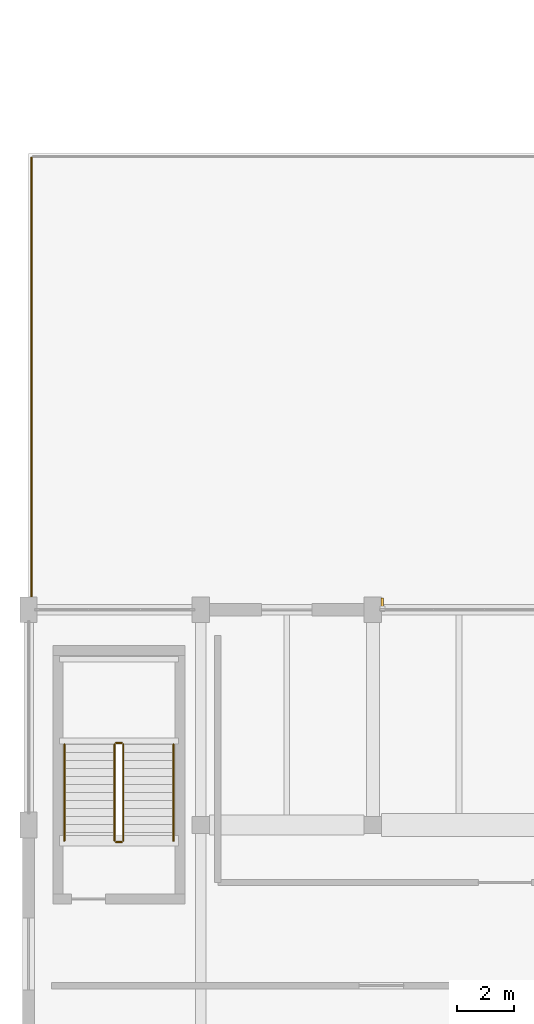
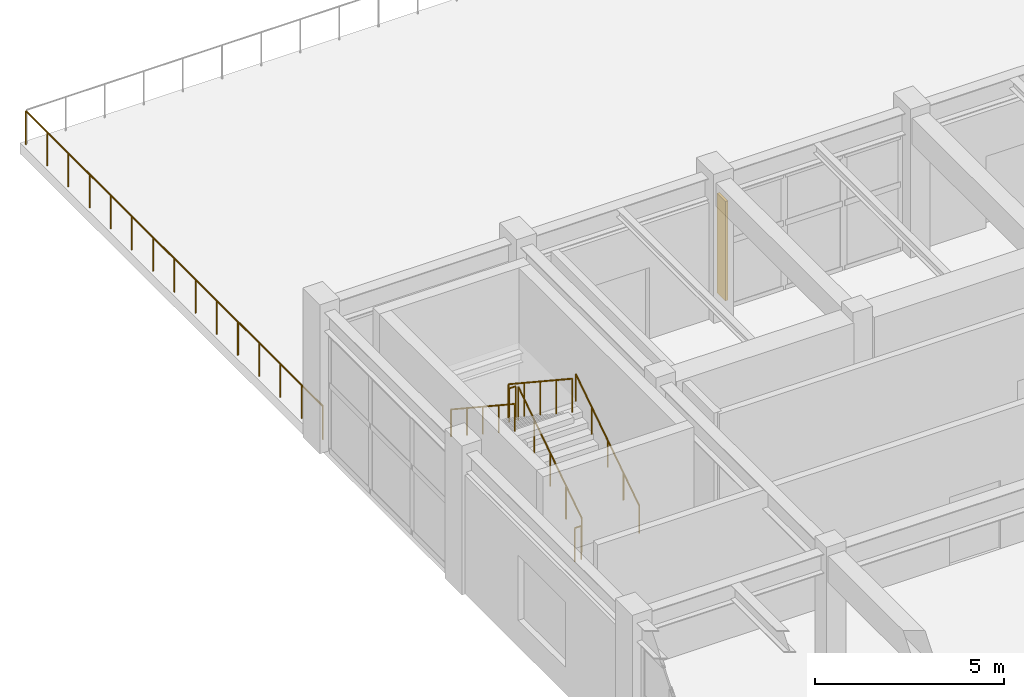
# One storey, part 75 of 80: 7 railings, 1 shading device.
"""IFC4 building model written with IfcOpenShell, lengths in metres."""

from ifc_helpers import new_model, si_unit, direction, frame, origin, origin_2d, place, context, subcontext, project, spatial, rectangle, circle, extrude, material, type_object, element, save


model = new_model("IFC4")

# Units and contexts
model_context = context("Model", 3, precision=1e-05, world=origin(), true_north=direction((0.0, 1.0)))
body_context = subcontext(model_context, "Body", "Model", "MODEL_VIEW")
ifc_project = project(units=[si_unit("LENGTHUNIT", "METRE"), si_unit("AREAUNIT", "SQUARE_METRE"), si_unit("VOLUMEUNIT", "CUBIC_METRE"), si_unit("PLANEANGLEUNIT", "RADIAN"), si_unit("MASSUNIT", "GRAM", prefix="KILO")], contexts=[model_context])

# Site, building, storey
site_placement = place(None, origin())
site = spatial("IfcSite", under=ifc_project, at=site_placement, CompositionType="ELEMENT")
building_placement = place(site_placement, origin())
building = spatial("IfcBuilding", under=site, at=building_placement, Name="Vaelkrest Opera House", CompositionType="ELEMENT")
storey_placement = place(building_placement, frame((0.0, 0.0, 15.0)))
storey = spatial("IfcBuildingStorey", under=building, at=storey_placement, Name="L03", CompositionType="ELEMENT", Elevation=15.0)

# Shading device
ifc_material = material(Name="Dark bronze anodized aluminium", Category="aluminium")
shading_device_type = type_object("IfcShadingDeviceType", Name="FIN01", PredefinedType="USERDEFINED", material=ifc_material)
shading_device_placement = place(storey_placement, frame((-63.26708984375, 17.8798828125, 0.27294921875), z_axis=(0.0, 0.0, 1.0), x_axis=(0.0, 1.0, 0.0)))
element("IfcShadingDevice", 1, at=shading_device_placement, inside=storey, type_object=shading_device_type, Name="Bronze vertical facade fin 16", ObjectType="FIN", PredefinedType="USERDEFINED", context=body_context, shape_type="SweptSolid", body=[
    extrude(rectangle(XDim=0.449951171875, YDim=0.080078125, at=origin_2d()), origin(), (0.0, 0.0, 1.0), 3.199951171875),
])

# Railings
railing_type_1 = type_object("IfcRailingType", Name="GR01", PredefinedType="GUARDRAIL", material=ifc_material)
railing_1_placement = place(storey_placement, frame((-75.5, 17.7900390625, 0.0)))
element("IfcRailing", 2, at=railing_1_placement, inside=storey, type_object=railing_type_1, Name="L03 Rehearsal Roof Garden guardrail seg 1", PredefinedType="GUARDRAIL", context=body_context, shape_type="SweptSolid", body=[
    extrude(circle(Radius=0.02392578125, at=origin_2d()), frame((0.0, 0.0, 1.076171875), z_axis=(0.0, 1.0, 0.0), x_axis=(-1.0, 0.0, 0.0)), (0.0, 0.0, 1.0), 15.669921875),
    extrude(circle(Radius=0.02099609375, at=origin_2d()), origin(), (0.0, 0.0, 1.0), 1.052001953125),
    extrude(circle(Radius=0.02099609375, at=origin_2d()), frame((0.0, 1.119384765625, 0.0)), (0.0, 0.0, 1.0), 1.052001953125),
    extrude(circle(Radius=0.02099609375, at=origin_2d()), frame((0.0, 2.238525390625, 0.0)), (0.0, 0.0, 1.0), 1.052001953125),
    extrude(circle(Radius=0.02099609375, at=origin_2d()), frame((0.0, 3.35791015625, 0.0)), (0.0, 0.0, 1.0), 1.052001953125),
    extrude(circle(Radius=0.02099609375, at=origin_2d()), frame((0.0, 4.47705078125, 0.0)), (0.0, 0.0, 1.0), 1.052001953125),
    extrude(circle(Radius=0.02099609375, at=origin_2d()), frame((0.0, 5.596435546875, 0.0)), (0.0, 0.0, 1.0), 1.052001953125),
    extrude(circle(Radius=0.02099609375, at=origin_2d()), frame((0.0, 6.715576171875, 0.0)), (0.0, 0.0, 1.0), 1.052001953125),
    extrude(circle(Radius=0.02099609375, at=origin_2d()), frame((0.0, 7.8349609375, 0.0)), (0.0, 0.0, 1.0), 1.052001953125),
    extrude(circle(Radius=0.02099609375, at=origin_2d()), frame((0.0, 8.954345703125, 0.0)), (0.0, 0.0, 1.0), 1.052001953125),
    extrude(circle(Radius=0.02099609375, at=origin_2d()), frame((0.0, 10.073486328125, 0.0)), (0.0, 0.0, 1.0), 1.052001953125),
    extrude(circle(Radius=0.02099609375, at=origin_2d()), frame((0.0, 11.19287109375, 0.0)), (0.0, 0.0, 1.0), 1.052001953125),
    extrude(circle(Radius=0.02099609375, at=origin_2d()), frame((0.0, 12.31201171875, 0.0)), (0.0, 0.0, 1.0), 1.052001953125),
    extrude(circle(Radius=0.02099609375, at=origin_2d()), frame((0.0, 13.431396484375, 0.0)), (0.0, 0.0, 1.0), 1.052001953125),
    extrude(circle(Radius=0.02099609375, at=origin_2d()), frame((0.0, 14.550537109375, 0.0)), (0.0, 0.0, 1.0), 1.052001953125),
    extrude(circle(Radius=0.02099609375, at=origin_2d()), frame((0.0, 15.669921875, 0.0)), (0.0, 0.0, 1.0), 1.052001953125),
])
railing_type_2 = type_object("IfcRailingType", Name="GR02", PredefinedType="GUARDRAIL", material=ifc_material)
railing_2_placement = place(storey_placement, frame((-72.300048828125, 9.64990234375, 0.1845703125)))
element("IfcRailing", 3, at=railing_2_placement, inside=storey, type_object=railing_type_2, Name="L03 ST07 stair guard 1", PredefinedType="GUARDRAIL", context=body_context, shape_type="SweptSolid", body=[
    extrude(circle(Radius=0.02392578125, at=origin_2d()), frame((0.0, 0.0, 1.076171875), z_axis=(0.0, 0.834876476806, 0.550437342915), x_axis=(-1.0, 0.0, 0.0)), (0.0, 0.0, 1.0), 4.024658203125),
    extrude(circle(Radius=0.02099609375, at=origin_2d()), origin(), (0.0, 0.0, 1.0), 1.052001953125),
    extrude(circle(Radius=0.02099609375, at=origin_2d()), frame((0.0, 0.840087890625, 0.5537109375)), (0.0, 0.0, 1.0), 1.052001953125),
    extrude(circle(Radius=0.02099609375, at=origin_2d()), frame((0.0, 1.68017578125, 1.107666015625)), (0.0, 0.0, 1.0), 1.052001953125),
    extrude(circle(Radius=0.02099609375, at=origin_2d()), frame((0.0, 2.52001953125, 1.66162109375)), (0.0, 0.0, 1.0), 1.052001953125),
    extrude(circle(Radius=0.02099609375, at=origin_2d()), frame((0.0, 3.360107421875, 2.21533203125)), (0.0, 0.0, 1.0), 1.052001953125),
])
railing_3_placement = place(storey_placement, frame((-72.35009765625, 13.06005859375, 2.39990234375)))
element("IfcRailing", 4, at=railing_3_placement, inside=storey, type_object=railing_type_2, Name="L03 ST07 stair guard 2", PredefinedType="GUARDRAIL", context=body_context, shape_type="SweptSolid", body=[
    extrude(circle(Radius=0.02392578125, at=origin_2d()), frame((0.0, 0.0, 1.076171875), z_axis=(-1.0, 0.0, 0.0), x_axis=(0.0, -1.0, 0.0)), (0.0, 0.0, 1.0), 0.199951171875),
    extrude(circle(Radius=0.02099609375, at=origin_2d()), origin(), (0.0, 0.0, 1.0), 1.052001953125),
    extrude(circle(Radius=0.02099609375, at=origin_2d()), frame((-0.199951171875, 0.0, 0.0)), (0.0, 0.0, 1.0), 1.052001953125),
])
railing_4_placement = place(storey_placement, frame((-72.60009765625, 13.010009765625, 2.584716796875)))
element("IfcRailing", 5, at=railing_4_placement, inside=storey, type_object=railing_type_2, Name="L03 ST07 stair guard 3", PredefinedType="GUARDRAIL", context=body_context, shape_type="SweptSolid", body=[
    extrude(circle(Radius=0.02392578125, at=origin_2d()), frame((0.0, 0.0, 1.076171875), z_axis=(0.0, -0.834876476806, 0.550437342915), x_axis=(1.0, 0.0, 0.0)), (0.0, 0.0, 1.0), 4.024658203125),
    extrude(circle(Radius=0.02099609375, at=origin_2d()), origin(), (0.0, 0.0, 1.0), 1.052001953125),
    extrude(circle(Radius=0.02099609375, at=origin_2d()), frame((0.0, -0.840087890625, 0.5537109375)), (0.0, 0.0, 1.0), 1.052001953125),
    extrude(circle(Radius=0.02099609375, at=origin_2d()), frame((0.0, -1.68017578125, 1.107666015625)), (0.0, 0.0, 1.0), 1.052001953125),
    extrude(circle(Radius=0.02099609375, at=origin_2d()), frame((0.0, -2.52001953125, 1.66162109375)), (0.0, 0.0, 1.0), 1.052001953125),
    extrude(circle(Radius=0.02099609375, at=origin_2d()), frame((0.0, -3.360107421875, 2.21533203125)), (0.0, 0.0, 1.0), 1.052001953125),
])
railing_5_placement = place(storey_placement, frame((-72.35009765625, 9.60009765625, 0.0)))
element("IfcRailing", 6, at=railing_5_placement, inside=storey, type_object=railing_type_2, Name="L03 ST07 stair guard 4", PredefinedType="GUARDRAIL", context=body_context, shape_type="SweptSolid", body=[
    extrude(circle(Radius=0.02392578125, at=origin_2d()), frame((0.0, 0.0, 1.076171875), z_axis=(-1.0, 0.0, 0.0), x_axis=(0.0, -1.0, 0.0)), (0.0, 0.0, 1.0), 0.199951171875),
    extrude(circle(Radius=0.02099609375, at=origin_2d()), origin(), (0.0, 0.0, 1.0), 1.052001953125),
    extrude(circle(Radius=0.02099609375, at=origin_2d()), frame((-0.199951171875, 0.0, 0.0)), (0.0, 0.0, 1.0), 1.052001953125),
])
railing_type_3 = type_object("IfcRailingType", Name="HR02", PredefinedType="HANDRAIL", material=ifc_material)
railing_6_placement = place(storey_placement, frame((-70.550048828125, 9.64990234375, 0.1845703125)))
element("IfcRailing", 7, at=railing_6_placement, inside=storey, type_object=railing_type_3, Name="L03 ST07 stair handrail 1", PredefinedType="HANDRAIL", context=body_context, shape_type="SweptSolid", body=[
    extrude(circle(Radius=0.02392578125, at=origin_2d()), frame((0.0, 0.0, 0.8759765625), z_axis=(0.0, 0.834876476806, 0.550437342915), x_axis=(-1.0, 0.0, 0.0)), (0.0, 0.0, 1.0), 4.024658203125),
    extrude(circle(Radius=0.02099609375, at=origin_2d()), origin(), (0.0, 0.0, 1.0), 0.851806640625),
    extrude(circle(Radius=0.02099609375, at=origin_2d()), frame((0.0, 0.840087890625, 0.5537109375)), (0.0, 0.0, 1.0), 0.851806640625),
    extrude(circle(Radius=0.02099609375, at=origin_2d()), frame((0.0, 1.68017578125, 1.107666015625)), (0.0, 0.0, 1.0), 0.851806640625),
    extrude(circle(Radius=0.02099609375, at=origin_2d()), frame((0.0, 2.52001953125, 1.66162109375)), (0.0, 0.0, 1.0), 0.851806640625),
    extrude(circle(Radius=0.02099609375, at=origin_2d()), frame((0.0, 3.360107421875, 2.21533203125)), (0.0, 0.0, 1.0), 0.851806640625),
])
railing_7_placement = place(storey_placement, frame((-74.35009765625, 13.010009765625, 2.584716796875)))
element("IfcRailing", 8, at=railing_7_placement, inside=storey, type_object=railing_type_3, Name="L03 ST07 stair handrail 2", PredefinedType="HANDRAIL", context=body_context, shape_type="SweptSolid", body=[
    extrude(circle(Radius=0.02392578125, at=origin_2d()), frame((0.0, 0.0, 0.8759765625), z_axis=(0.0, -0.834876476806, 0.550437342915), x_axis=(1.0, 0.0, 0.0)), (0.0, 0.0, 1.0), 4.024658203125),
    extrude(circle(Radius=0.02099609375, at=origin_2d()), origin(), (0.0, 0.0, 1.0), 0.851806640625),
    extrude(circle(Radius=0.02099609375, at=origin_2d()), frame((0.0, -0.840087890625, 0.5537109375)), (0.0, 0.0, 1.0), 0.851806640625),
    extrude(circle(Radius=0.02099609375, at=origin_2d()), frame((0.0, -1.68017578125, 1.107666015625)), (0.0, 0.0, 1.0), 0.851806640625),
    extrude(circle(Radius=0.02099609375, at=origin_2d()), frame((0.0, -2.52001953125, 1.66162109375)), (0.0, 0.0, 1.0), 0.851806640625),
    extrude(circle(Radius=0.02099609375, at=origin_2d()), frame((0.0, -3.360107421875, 2.21533203125)), (0.0, 0.0, 1.0), 0.851806640625),
])

save(model, "model.ifc")
